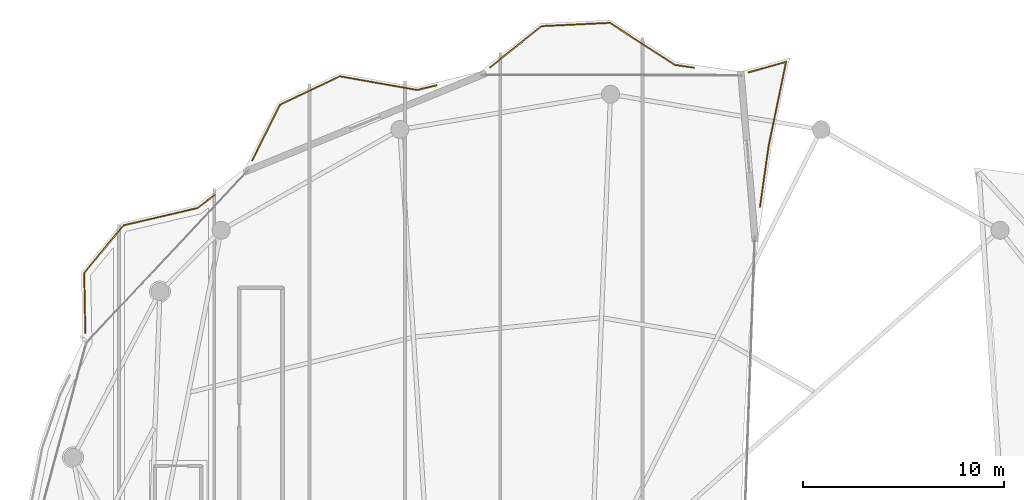
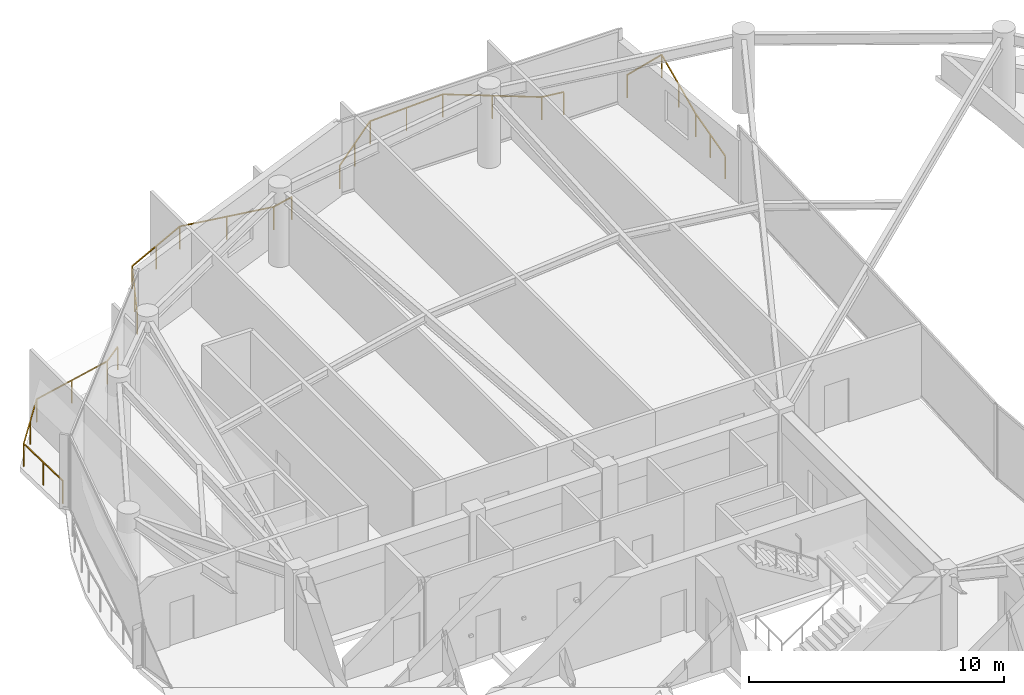
# One storey, part 23 of 23: 4 railings.
"""IFC4 building model written with IfcOpenShell, lengths in metres."""

from ifc_helpers import new_model, si_unit, direction, frame, origin, origin_2d, place, context, subcontext, project, spatial, rectangle, extrude, material, type_object, element, save


model = new_model("IFC4")

# Units and contexts
model_context = context("Model", 3, precision=1e-05, world=origin(), true_north=direction((0.0, 1.0)))
body_context = subcontext(model_context, "Body", "Model", "MODEL_VIEW")
ifc_project = project(units=[si_unit("LENGTHUNIT", "METRE"), si_unit("AREAUNIT", "SQUARE_METRE"), si_unit("VOLUMEUNIT", "CUBIC_METRE"), si_unit("PLANEANGLEUNIT", "RADIAN"), si_unit("MASSUNIT", "GRAM", prefix="KILO")], contexts=[model_context])

# Site, building, storey
site_placement = place(None, origin())
site = spatial("IfcSite", under=ifc_project, at=site_placement, CompositionType="ELEMENT")
building_placement = place(site_placement, origin())
building = spatial("IfcBuilding", under=site, at=building_placement, Name="Kazevale Care Tower and Concert Hall", CompositionType="ELEMENT")
storey_placement = place(building_placement, frame((0.0, 0.0, 266.199951171875)))
storey = spatial("IfcBuildingStorey", under=building, at=storey_placement, Name="L70", CompositionType="ELEMENT", Elevation=266.199951171875)

# Railings
ifc_material = material(Name="Anodised Bronze Aluminium and Laminated Glass", Category="aluminium")
railing_type = type_object("IfcRailingType", Name="Balcony and Terrace Balustrade 1120", PredefinedType="BALUSTRADE", material=ifc_material)
railing_1_placement = place(storey_placement, frame((18.822998046875, 49.26611328125, 0.0)))
element("IfcRailing", 1, at=railing_1_placement, inside=storey, type_object=railing_type, Name="rail:L70:perim:2", PredefinedType="BALUSTRADE", context=body_context, shape_type="SweptSolid", body=[
    extrude(rectangle(XDim=0.048095703125, YDim=0.048095703125, at=origin_2d()), frame((0.0, 0.0, 1.09619140625), z_axis=(-0.019560580707, 0.999808673538, 0.0), x_axis=(-0.999808673538, -0.019560580707, 0.0)), (0.0, 0.0, 1.0), 2.970458984375),
    extrude(rectangle(XDim=0.048095703125, YDim=0.048095703125, at=origin_2d()), frame((-0.05810546875, 2.969970703125, 1.09619140625), z_axis=(0.635732243255, 0.771909654614, 0.0), x_axis=(-0.771909654614, 0.635732243255, 0.0)), (0.0, 0.0, 1.0), 3.081787109375),
    extrude(rectangle(XDim=0.048095703125, YDim=0.048095703125, at=origin_2d()), frame((1.901123046875, 5.348876953125, 1.09619140625), z_axis=(0.973778441012, 0.227498456743, 0.0), x_axis=(-0.227498456743, 0.973778441012, 0.0)), (0.0, 0.0, 1.0), 3.789306640625),
    extrude(rectangle(XDim=0.048095703125, YDim=0.048095703125, at=origin_2d()), frame((5.591064453125, 6.2109375, 1.09619140625), z_axis=(0.795003222411, 0.606605206338, 0.0), x_axis=(-0.606605206338, 0.795003222411, 0.0)), (0.0, 0.0, 1.0), 1.072998046875),
    extrude(rectangle(XDim=0.0419921875, YDim=0.0419921875, at=origin_2d()), origin(), (0.0, 0.0, 1.0), 1.072021484375),
    extrude(rectangle(XDim=0.0419921875, YDim=0.0419921875, at=origin_2d()), frame((-0.029052734375, 1.48486328125, 0.0)), (0.0, 0.0, 1.0), 1.072021484375),
    extrude(rectangle(XDim=0.0419921875, YDim=0.0419921875, at=origin_2d()), frame((-0.05810546875, 2.969970703125, 0.0)), (0.0, 0.0, 1.0), 1.072021484375),
    extrude(rectangle(XDim=0.0419921875, YDim=0.0419921875, at=origin_2d()), frame((0.92138671875, 4.159423828125, 0.0)), (0.0, 0.0, 1.0), 1.072021484375),
    extrude(rectangle(XDim=0.0419921875, YDim=0.0419921875, at=origin_2d()), frame((1.901123046875, 5.348876953125, 0.0)), (0.0, 0.0, 1.0), 1.072021484375),
    extrude(rectangle(XDim=0.0419921875, YDim=0.0419921875, at=origin_2d()), frame((3.74609375, 5.77978515625, 0.0)), (0.0, 0.0, 1.0), 1.072021484375),
    extrude(rectangle(XDim=0.0419921875, YDim=0.0419921875, at=origin_2d()), frame((5.591064453125, 6.2109375, 0.0)), (0.0, 0.0, 1.0), 1.072021484375),
    extrude(rectangle(XDim=0.0419921875, YDim=0.0419921875, at=origin_2d()), frame((6.444091796875, 6.86181640625, 0.0)), (0.0, 0.0, 1.0), 1.072021484375),
])
railing_2_placement = place(storey_placement, frame((27.138916015625, 57.843994140625, 0.0)))
element("IfcRailing", 2, at=railing_2_placement, inside=storey, type_object=railing_type, Name="rail:L70:perim:3", PredefinedType="BALUSTRADE", context=body_context, shape_type="SweptSolid", body=[
    extrude(rectangle(XDim=0.048095703125, YDim=0.048095703125, at=origin_2d()), frame((0.0, 0.0, 1.09619140625), z_axis=(0.447119495622, 0.894474234752, 0.0), x_axis=(-0.894474234752, 0.447119495622, 0.0)), (0.0, 0.0, 1.0), 3.113525390625),
    extrude(rectangle(XDim=0.048095703125, YDim=0.048095703125, at=origin_2d()), frame((1.39208984375, 2.784912109375, 1.09619140625), z_axis=(0.902819401185, 0.4300199168, 0.0), x_axis=(-0.4300199168, 0.902819401185, 0.0)), (0.0, 0.0, 1.0), 3.29296875),
    extrude(rectangle(XDim=0.048095703125, YDim=0.048095703125, at=origin_2d()), frame((4.364990234375, 4.200927734375, 1.09619140625), z_axis=(0.984602338772, -0.174809137303, 0.0), x_axis=(0.174809137303, 0.984602338772, 0.0)), (0.0, 0.0, 1.0), 3.91748046875),
    extrude(rectangle(XDim=0.048095703125, YDim=0.048095703125, at=origin_2d()), frame((8.22216796875, 3.51611328125, 1.09619140625), z_axis=(0.971178521671, 0.238353265227, 0.0), x_axis=(-0.238353265227, 0.971178521671, 0.0)), (0.0, 0.0, 1.0), 0.989501953125),
    extrude(rectangle(XDim=0.0419921875, YDim=0.0419921875, at=origin_2d()), origin(), (0.0, 0.0, 1.0), 1.072021484375),
    extrude(rectangle(XDim=0.0419921875, YDim=0.0419921875, at=origin_2d()), frame((0.696044921875, 1.392578125, 0.0)), (0.0, 0.0, 1.0), 1.072021484375),
    extrude(rectangle(XDim=0.0419921875, YDim=0.0419921875, at=origin_2d()), frame((1.39208984375, 2.784912109375, 0.0)), (0.0, 0.0, 1.0), 1.072021484375),
    extrude(rectangle(XDim=0.0419921875, YDim=0.0419921875, at=origin_2d()), frame((2.87841796875, 3.492919921875, 0.0)), (0.0, 0.0, 1.0), 1.072021484375),
    extrude(rectangle(XDim=0.0419921875, YDim=0.0419921875, at=origin_2d()), frame((4.364990234375, 4.200927734375, 0.0)), (0.0, 0.0, 1.0), 1.072021484375),
    extrude(rectangle(XDim=0.0419921875, YDim=0.0419921875, at=origin_2d()), frame((6.29345703125, 3.8583984375, 0.0)), (0.0, 0.0, 1.0), 1.072021484375),
    extrude(rectangle(XDim=0.0419921875, YDim=0.0419921875, at=origin_2d()), frame((8.22216796875, 3.51611328125, 0.0)), (0.0, 0.0, 1.0), 1.072021484375),
    extrude(rectangle(XDim=0.0419921875, YDim=0.0419921875, at=origin_2d()), frame((9.18310546875, 3.751953125, 0.0)), (0.0, 0.0, 1.0), 1.072021484375),
])
railing_3_placement = place(storey_placement, frame((39.009033203125, 62.501953125, 0.0)))
element("IfcRailing", 3, at=railing_3_placement, inside=storey, type_object=railing_type, Name="rail:L70:perim:4", PredefinedType="BALUSTRADE", context=body_context, shape_type="SweptSolid", body=[
    extrude(rectangle(XDim=0.048095703125, YDim=0.048095703125, at=origin_2d()), frame((0.0, 0.0, 1.09619140625), z_axis=(0.781160022145, 0.624330857641, 0.0), x_axis=(-0.624330857641, 0.781160022145, 0.0)), (0.0, 0.0, 1.0), 3.270751953125),
    extrude(rectangle(XDim=0.048095703125, YDim=0.048095703125, at=origin_2d()), frame((2.554931640625, 2.0419921875, 1.09619140625), z_axis=(0.998836419682, 0.048226618338, 0.0), x_axis=(-0.048226618338, 0.998836419682, 0.0)), (0.0, 0.0, 1.0), 3.40185546875),
    extrude(rectangle(XDim=0.048095703125, YDim=0.048095703125, at=origin_2d()), frame((5.952880859375, 2.2060546875, 1.09619140625), z_axis=(0.840557646698, -0.541722108261, 0.0), x_axis=(0.541722108261, 0.840557646698, 0.0)), (0.0, 0.0, 1.0), 3.875),
    extrude(rectangle(XDim=0.048095703125, YDim=0.048095703125, at=origin_2d()), frame((9.2099609375, 0.10693359375, 1.09619140625), z_axis=(0.989702469772, -0.143139866306, 0.0), x_axis=(0.143139866306, 0.989702469772, 0.0)), (0.0, 0.0, 1.0), 0.9345703125),
    extrude(rectangle(XDim=0.0419921875, YDim=0.0419921875, at=origin_2d()), origin(), (0.0, 0.0, 1.0), 1.072021484375),
    extrude(rectangle(XDim=0.0419921875, YDim=0.0419921875, at=origin_2d()), frame((1.27734375, 1.02099609375, 0.0)), (0.0, 0.0, 1.0), 1.072021484375),
    extrude(rectangle(XDim=0.0419921875, YDim=0.0419921875, at=origin_2d()), frame((2.554931640625, 2.0419921875, 0.0)), (0.0, 0.0, 1.0), 1.072021484375),
    extrude(rectangle(XDim=0.0419921875, YDim=0.0419921875, at=origin_2d()), frame((4.25390625, 2.1240234375, 0.0)), (0.0, 0.0, 1.0), 1.072021484375),
    extrude(rectangle(XDim=0.0419921875, YDim=0.0419921875, at=origin_2d()), frame((5.952880859375, 2.2060546875, 0.0)), (0.0, 0.0, 1.0), 1.072021484375),
    extrude(rectangle(XDim=0.0419921875, YDim=0.0419921875, at=origin_2d()), frame((7.58154296875, 1.156494140625, 0.0)), (0.0, 0.0, 1.0), 1.072021484375),
    extrude(rectangle(XDim=0.0419921875, YDim=0.0419921875, at=origin_2d()), frame((9.2099609375, 0.10693359375, 0.0)), (0.0, 0.0, 1.0), 1.072021484375),
    extrude(rectangle(XDim=0.0419921875, YDim=0.0419921875, at=origin_2d()), frame((10.135009765625, -0.02685546875, 0.0)), (0.0, 0.0, 1.0), 1.072021484375),
])
railing_4_placement = place(storey_placement, frame((51.87890625, 62.238037109375, 0.0)))
element("IfcRailing", 4, at=railing_4_placement, inside=storey, type_object=railing_type, Name="rail:L70:perim:5", PredefinedType="BALUSTRADE", context=body_context, shape_type="SweptSolid", body=[
    extrude(rectangle(XDim=0.048095703125, YDim=0.048095703125, at=origin_2d()), frame((0.0, 0.0, 1.09619140625), z_axis=(0.962663222238, 0.270701903486, 0.0), x_axis=(-0.270701903486, 0.962663222238, 0.0)), (0.0, 0.0, 1.0), 1.942626953125),
    extrude(rectangle(XDim=0.048095703125, YDim=0.048095703125, at=origin_2d()), frame((1.8701171875, 0.52587890625, 1.09619140625), z_axis=(-0.203285915422, -0.979119418963, 0.0), x_axis=(0.979119418963, -0.203285915422, 0.0)), (0.0, 0.0, 1.0), 4.259765625),
    extrude(rectangle(XDim=0.048095703125, YDim=0.048095703125, at=origin_2d()), frame((1.004150390625, -3.64501953125, 1.09619140625), z_axis=(-0.141057277053, -0.990001436661, 0.0), x_axis=(0.990001436661, -0.141057277053, 0.0)), (0.0, 0.0, 1.0), 3.09814453125),
    extrude(rectangle(XDim=0.0419921875, YDim=0.0419921875, at=origin_2d()), origin(), (0.0, 0.0, 1.0), 1.072021484375),
    extrude(rectangle(XDim=0.0419921875, YDim=0.0419921875, at=origin_2d()), frame((1.8701171875, 0.52587890625, 0.0)), (0.0, 0.0, 1.0), 1.072021484375),
    extrude(rectangle(XDim=0.0419921875, YDim=0.0419921875, at=origin_2d()), frame((1.43701171875, -1.5595703125, 0.0)), (0.0, 0.0, 1.0), 1.072021484375),
    extrude(rectangle(XDim=0.0419921875, YDim=0.0419921875, at=origin_2d()), frame((1.004150390625, -3.64501953125, 0.0)), (0.0, 0.0, 1.0), 1.072021484375),
    extrude(rectangle(XDim=0.0419921875, YDim=0.0419921875, at=origin_2d()), frame((0.78564453125, -5.1787109375, 0.0)), (0.0, 0.0, 1.0), 1.072021484375),
    extrude(rectangle(XDim=0.0419921875, YDim=0.0419921875, at=origin_2d()), frame((0.567138671875, -6.712158203125, 0.0)), (0.0, 0.0, 1.0), 1.072021484375),
])

save(model, "model.ifc")
